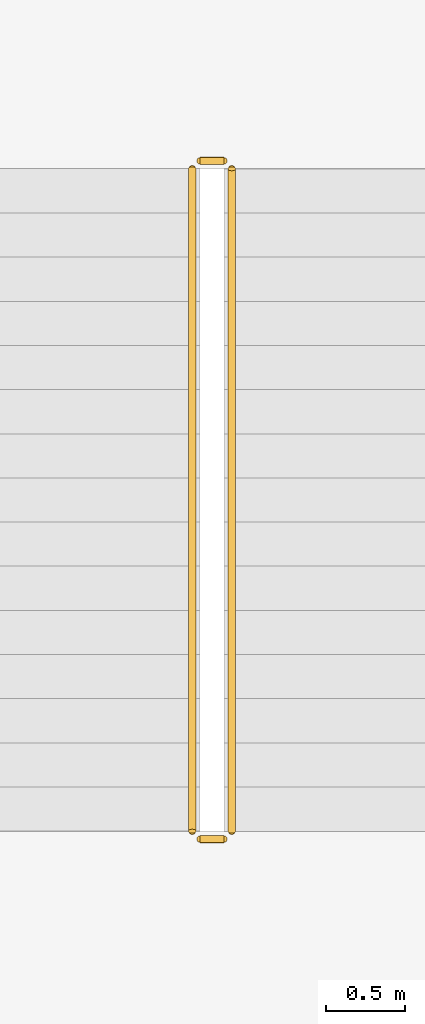
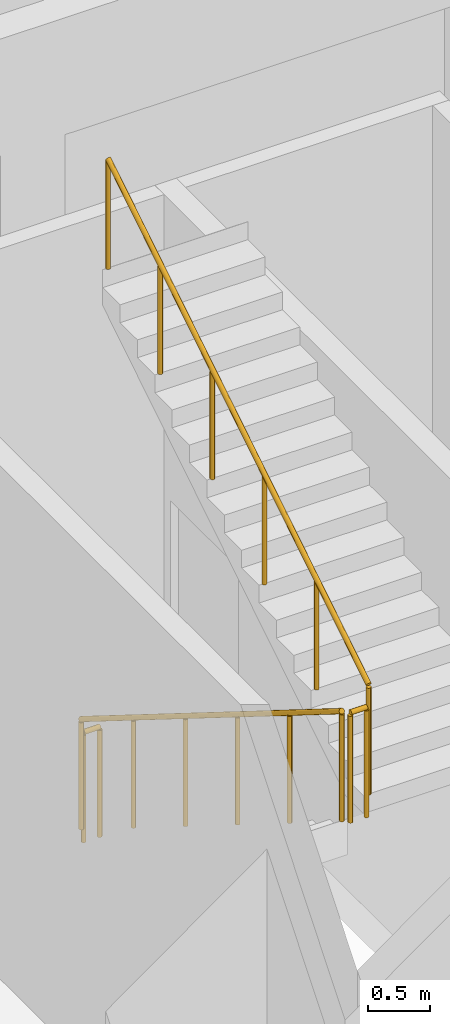
# One storey, part 22 of 24: 4 railings.
"""IFC4 building model written with IfcOpenShell, lengths in metres."""

from ifc_helpers import new_model, si_unit, direction, frame, origin, origin_2d, place, context, subcontext, project, spatial, circle, extrude, material, type_object, element, save


model = new_model("IFC4")

# Units and contexts
model_context = context("Model", 3, precision=1e-05, world=origin(), true_north=direction((0.0, 1.0)))
body_context = subcontext(model_context, "Body", "Model", "MODEL_VIEW")
ifc_project = project(units=[si_unit("LENGTHUNIT", "METRE"), si_unit("AREAUNIT", "SQUARE_METRE"), si_unit("VOLUMEUNIT", "CUBIC_METRE"), si_unit("PLANEANGLEUNIT", "RADIAN"), si_unit("MASSUNIT", "GRAM", prefix="KILO")], contexts=[model_context])

# Site, building, storey
site_placement = place(None, origin())
site = spatial("IfcSite", under=ifc_project, at=site_placement, CompositionType="ELEMENT")
building_placement = place(site_placement, origin())
building = spatial("IfcBuilding", under=site, at=building_placement, Name="Kawkab Arch Medical Tower", CompositionType="ELEMENT")
storey_placement = place(building_placement, frame((0.0, 0.0, 18.199951171875)))
storey = spatial("IfcBuildingStorey", under=building, at=storey_placement, Name="L04", CompositionType="ELEMENT", Elevation=18.199951171875)

# Railings
ifc_material = material(Name="Stainless steel", Category="steel")
railing_type = type_object("IfcRailingType", Name="Stair guard 1100", PredefinedType="GUARDRAIL", material=ifc_material)
railing_1_placement = place(storey_placement, frame((44.39990234375, -1.800048828125, 0.175048828125)))
element("IfcRailing", 1, at=railing_1_placement, inside=storey, type_object=railing_type, Name="L04 ST5 stair guard 1", PredefinedType="GUARDRAIL", context=body_context, shape_type="SweptSolid", body=[
    extrude(circle(Radius=0.02392578125, at=origin_2d()), frame((0.0, 0.0, 1.076171875), z_axis=(0.0, -0.847995534698, 0.530003370869), x_axis=(1.0, 0.0, 0.0)), (0.0, 0.0, 1.0), 4.952880859375),
    extrude(circle(Radius=0.02099609375, at=origin_2d()), origin(), (0.0, 0.0, 1.0), 1.052001953125),
    extrude(circle(Radius=0.02099609375, at=origin_2d()), frame((0.0, -0.840087890625, 0.52490234375)), (0.0, 0.0, 1.0), 1.052001953125),
    extrude(circle(Radius=0.02099609375, at=origin_2d()), frame((0.0, -1.679931640625, 1.050048828125)), (0.0, 0.0, 1.0), 1.052001953125),
    extrude(circle(Radius=0.02099609375, at=origin_2d()), frame((0.0, -2.52001953125, 1.574951171875)), (0.0, 0.0, 1.0), 1.052001953125),
    extrude(circle(Radius=0.02099609375, at=origin_2d()), frame((0.0, -3.35986328125, 2.10009765625)), (0.0, 0.0, 1.0), 1.052001953125),
    extrude(circle(Radius=0.02099609375, at=origin_2d()), frame((0.0, -4.199951171875, 2.625)), (0.0, 0.0, 1.0), 1.052001953125),
])
railing_2_placement = place(storey_placement, frame((44.449951171875, -6.050048828125, 2.800048828125)))
element("IfcRailing", 2, at=railing_2_placement, inside=storey, type_object=railing_type, Name="L04 ST5 stair guard 2", PredefinedType="GUARDRAIL", context=body_context, shape_type="SweptSolid", body=[
    extrude(circle(Radius=0.02392578125, at=origin_2d()), frame((0.0, 0.0, 1.076171875), z_axis=(1.0, 0.0, 0.0), x_axis=(0.0, 1.0, 0.0)), (0.0, 0.0, 1.0), 0.150146484375),
    extrude(circle(Radius=0.02099609375, at=origin_2d()), origin(), (0.0, 0.0, 1.0), 1.052001953125),
    extrude(circle(Radius=0.02099609375, at=origin_2d()), frame((0.150146484375, 0.0, 0.0)), (0.0, 0.0, 1.0), 1.052001953125),
])
railing_3_placement = place(storey_placement, frame((44.64990234375, -6.0, 2.97509765625)))
element("IfcRailing", 3, at=railing_3_placement, inside=storey, type_object=railing_type, Name="L04 ST5 stair guard 3", PredefinedType="GUARDRAIL", context=body_context, shape_type="SweptSolid", body=[
    extrude(circle(Radius=0.02392578125, at=origin_2d()), frame((0.0, 0.0, 1.076171875), z_axis=(0.0, 0.847995534698, 0.530003370869), x_axis=(-1.0, 0.0, 0.0)), (0.0, 0.0, 1.0), 4.952880859375),
    extrude(circle(Radius=0.02099609375, at=origin_2d()), origin(), (0.0, 0.0, 1.0), 1.052001953125),
    extrude(circle(Radius=0.02099609375, at=origin_2d()), frame((0.0, 0.840087890625, 0.52490234375)), (0.0, 0.0, 1.0), 1.052001953125),
    extrude(circle(Radius=0.02099609375, at=origin_2d()), frame((0.0, 1.679931640625, 1.050048828125)), (0.0, 0.0, 1.0), 1.052001953125),
    extrude(circle(Radius=0.02099609375, at=origin_2d()), frame((0.0, 2.52001953125, 1.574951171875)), (0.0, 0.0, 1.0), 1.052001953125),
    extrude(circle(Radius=0.02099609375, at=origin_2d()), frame((0.0, 3.35986328125, 2.10009765625)), (0.0, 0.0, 1.0), 1.052001953125),
    extrude(circle(Radius=0.02099609375, at=origin_2d()), frame((0.0, 4.199951171875, 2.625)), (0.0, 0.0, 1.0), 1.052001953125),
])
railing_4_placement = place(storey_placement, frame((44.449951171875, -1.75, 0.0)))
element("IfcRailing", 4, at=railing_4_placement, inside=storey, type_object=railing_type, Name="L04 ST5 stair guard 4", PredefinedType="GUARDRAIL", context=body_context, shape_type="SweptSolid", body=[
    extrude(circle(Radius=0.02392578125, at=origin_2d()), frame((0.0, 0.0, 1.076171875), z_axis=(1.0, 0.0, 0.0), x_axis=(0.0, 1.0, 0.0)), (0.0, 0.0, 1.0), 0.150146484375),
    extrude(circle(Radius=0.02099609375, at=origin_2d()), origin(), (0.0, 0.0, 1.0), 1.052001953125),
    extrude(circle(Radius=0.02099609375, at=origin_2d()), frame((0.150146484375, 0.0, 0.0)), (0.0, 0.0, 1.0), 1.052001953125),
])

save(model, "model.ifc")
